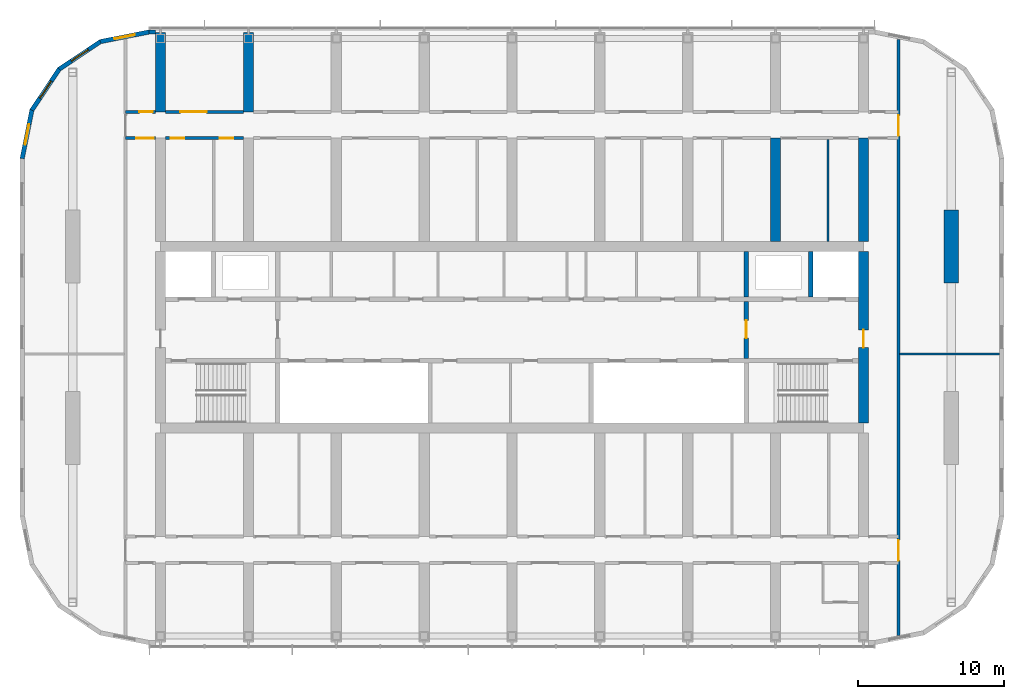
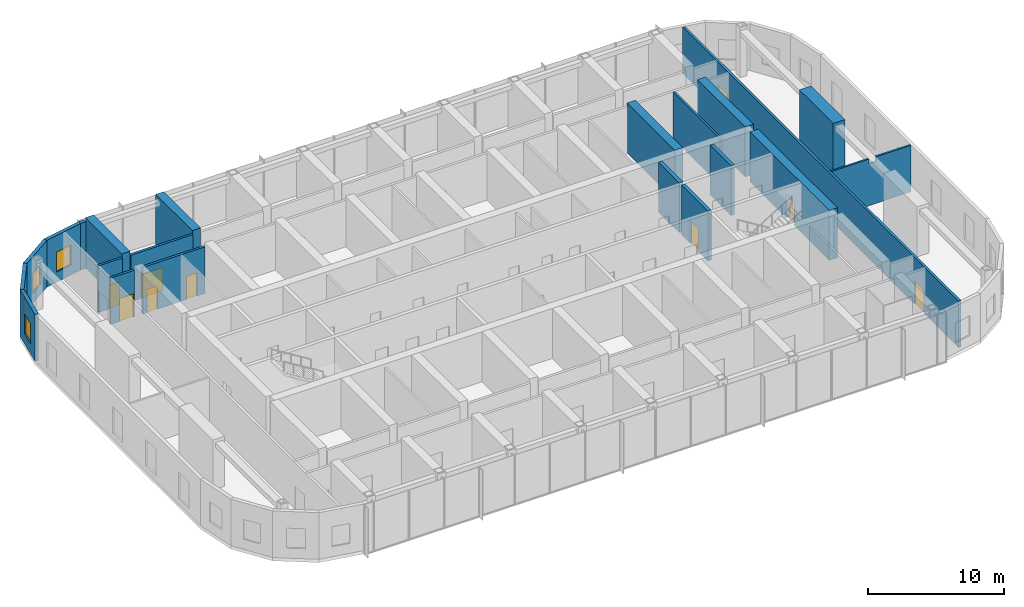
# One storey, part 14 of 21: 21 walls, 9 doors, 4 windows, 13 openings.
"""IFC4 building model written with IfcOpenShell, lengths in metres."""

from ifc_helpers import new_model, si_unit, direction, frame, frame_2d, origin, place, context, subcontext, project, spatial, polyline, rectangle, outline, extrude, material, layer, layer_set, type_object, element, fill, save


model = new_model("IFC4")

# Units and contexts
model_context = context("Model", 3, precision=1e-05, world=origin(), true_north=direction((0.0, 1.0)))
body_context = subcontext(model_context, "Body", "Model", "MODEL_VIEW")
ifc_project = project(units=[si_unit("LENGTHUNIT", "METRE"), si_unit("AREAUNIT", "SQUARE_METRE"), si_unit("VOLUMEUNIT", "CUBIC_METRE"), si_unit("PLANEANGLEUNIT", "RADIAN"), si_unit("MASSUNIT", "GRAM", prefix="KILO")], contexts=[model_context])

# Site, building, storey
site_placement = place(None, origin())
site = spatial("IfcSite", under=ifc_project, at=site_placement, CompositionType="ELEMENT")
building_placement = place(site_placement, origin())
building = spatial("IfcBuilding", under=site, at=building_placement, Name="Orbita Commons", CompositionType="ELEMENT")
storey_placement = place(building_placement, frame((0.0, 0.0, 257.800048828125)))
storey = spatial("IfcBuildingStorey", under=building, at=storey_placement, Name="L64", CompositionType="ELEMENT", Elevation=257.800048828125)

# Wall, opening, door
ifc_material_1 = material(Name="Concrete C50/60", Category="concrete")
ifc_layer_1 = layer(ifc_material_1, 0.300048828125)
ifc_layer_set_1 = layer_set([ifc_layer_1], Name="Concrete C50/60")
wall_type_1 = type_object("IfcWallType", Name="Core inner wall 300 C50/60", PredefinedType="SHEAR", material=ifc_layer_set_1)
wall_1_placement = place(storey_placement, frame((58.0, 30.550048828125, 0.0), z_axis=(0.0, 0.0, 1.0), x_axis=(0.0, 1.0, 0.0)))
wall_1 = element("IfcWall", 1, at=wall_1_placement, inside=storey, type_object=wall_type_1, Name="Firefighting lobby wall east L64", PredefinedType="SHEAR", context=body_context, shape_type="SweptSolid", body=[
    extrude(rectangle(XDim=3.89990234375, YDim=0.300048828125, at=frame_2d((1.949951171875, 0.0))), origin(), (0.0, 0.0, 1.0), 4.5),
])
opening_1_placement = place(wall_1_placement, frame((1.39990234375, 0.0, 0.0)))
opening_1 = element("IfcOpeningElement", 2, at=opening_1_placement, cuts=wall_1, Name="Opening D04", PredefinedType="OPENING", context=body_context, shape_type="SweptSolid", body=[
    extrude(rectangle(XDim=1.199951171875, YDim=2.10009765625, at=frame_2d((0.60009765625, 1.050048828125))), frame((0.0, 0.159912109375, 0.0), z_axis=(0.0, -1.0, 0.0), x_axis=(1.0, 0.0, 0.0)), (0.0, 0.0, 1.0), 0.320068359375),
])
ifc_material_2 = material(Name="Steel-faced fire door leaf", Category="steel")
door_type_1 = type_object("IfcDoorType", Name="Service door 20 min 1200x2100", OperationType="SINGLE_SWING_LEFT", PredefinedType="DOOR", material=ifc_material_2)
door_1_placement = place(opening_1_placement, origin())
door_1 = element("IfcDoor", 3, at=door_1_placement, inside=storey, type_object=door_type_1, Name="Lift lobby door east", OperationType="SINGLE_SWING_LEFT", OverallHeight=2.10009765625, OverallWidth=1.199951171875, PredefinedType="DOOR", context=body_context, shape_type="SweptSolid", body=[
    extrude(rectangle(XDim=1.199951171875, YDim=2.10009765625, at=frame_2d((0.60009765625, 1.050048828125))), frame((0.0, 0.02490234375, 0.0), z_axis=(0.0, -1.0, 0.0), x_axis=(1.0, 0.0, 0.0)), (0.0, 0.0, 1.0), 0.050048828125),
])
fill(opening_1, door_1)

# Walls
for number, where, z_axis, x_axis, name in (
    (4, (62.39990234375, 34.75, 0.0), (0.0, 0.0, 1.0), (0.0, 1.0, 0.0), "Firefighting lift FL2 shaft wall L64"),
    (5, (58.0, 34.75, 0.0), (0.0, 0.0, 1.0), (0.0, 1.0, 0.0), "Riser wall east L64"),
):
    element("IfcWall", number, at=place(storey_placement, frame(where, z_axis=z_axis, x_axis=x_axis)), inside=storey, type_object=wall_type_1, Name=name, PredefinedType="SHEAR", context=body_context, shape_type="SweptSolid", body=[
        extrude(rectangle(XDim=3.10009765625, YDim=0.300048828125, at=frame_2d((1.550048828125, 0.0))), origin(), (0.0, 0.0, 1.0), 4.5),
    ])

# Wall, opening, door
ifc_material_3 = material(Name="Concrete C50/60", Category="concrete")
ifc_layer_2 = layer(ifc_material_3, 0.699951171875)
ifc_layer_set_2 = layer_set([ifc_layer_2], Name="Concrete C50/60")
wall_type_2 = type_object("IfcWallType", Name="Core wall 700 C50/60", PredefinedType="SHEAR", material=ifc_layer_set_2)
wall_2_placement = place(storey_placement, frame((66.0, 26.14990234375, 0.0), z_axis=(0.0, 0.0, 1.0), x_axis=(0.0, 1.0, 0.0)))
wall_2 = element("IfcWall", 6, at=wall_2_placement, inside=storey, type_object=wall_type_2, Name="Core end wall east L64", PredefinedType="SHEAR", context=body_context, shape_type="SweptSolid", body=[
    extrude(rectangle(XDim=11.7001953125, YDim=0.699951171875, at=frame_2d((5.85009765625, 0.0))), origin(), (0.0, 0.0, 1.0), 4.5),
])
opening_2_placement = place(wall_2_placement, frame((5.14990234375, 0.0, 0.0)))
opening_2 = element("IfcOpeningElement", 7, at=opening_2_placement, cuts=wall_2, Name="Opening D01", PredefinedType="OPENING", context=body_context, shape_type="SweptSolid", body=[
    extrude(rectangle(XDim=1.199951171875, YDim=2.10009765625, at=frame_2d((0.60009765625, 1.050048828125))), frame((0.0, 0.35986328125, 0.0), z_axis=(0.0, -1.0, 0.0), x_axis=(1.0, 0.0, 0.0)), (0.0, 0.0, 1.0), 0.719970703125),
])
ifc_material_4 = material(Name="Steel-faced fire door leaf", Category="steel")
door_type_2 = type_object("IfcDoorType", Name="Fire door 90 min 1200x2100", OperationType="SINGLE_SWING_LEFT", PredefinedType="DOOR", material=ifc_material_4)
door_2_placement = place(opening_2_placement, origin())
door_2 = element("IfcDoor", 8, at=door_2_placement, inside=storey, type_object=door_type_2, Name="Firefighting lobby east door", OperationType="SINGLE_SWING_LEFT", OverallHeight=2.10009765625, OverallWidth=1.199951171875, PredefinedType="DOOR", context=body_context, shape_type="SweptSolid", body=[
    extrude(rectangle(XDim=1.199951171875, YDim=2.10009765625, at=frame_2d((0.60009765625, 1.050048828125))), frame((0.0, 0.02490234375, 0.0), z_axis=(0.0, -1.0, 0.0), x_axis=(1.0, 0.0, 0.0)), (0.0, 0.0, 1.0), 0.050048828125),
])
fill(opening_2, door_2)

ifc_material_5 = material(Name="Concrete blockwork", Category="masonry")
ifc_layer_3 = layer(ifc_material_5, 0.199951171875)
ifc_layer_set_3 = layer_set([ifc_layer_3], Name="Concrete blockwork")
wall_type_3 = type_object("IfcWallType", Name="Corridor wall 200 blockwork", PredefinedType="SOLIDWALL", material=ifc_layer_set_3)
wall_3_placement = place(storey_placement, frame((15.60009765625, 47.39990234375, 0.0), z_axis=(0.0, 0.0, 1.0), x_axis=(1.0, 0.0, 0.0)))
wall_3 = element("IfcWall", 9, at=wall_3_placement, inside=storey, type_object=wall_type_3, Name="Corridor wall 200 blockwork L64", PredefinedType="SOLIDWALL", context=body_context, shape_type="SweptSolid", body=[
    extrude(rectangle(XDim=2.0498046875, YDim=0.199951171875, at=frame_2d((1.02490234375, 0.0))), origin(), (0.0, 0.0, 1.0), 4.199951171875),
])
opening_3_placement = place(wall_3_placement, frame((0.949951171875, 0.0, 0.0)))
opening_3 = element("IfcOpeningElement", 10, at=opening_3_placement, cuts=wall_3, Name="Opening D05", PredefinedType="OPENING", context=body_context, shape_type="SweptSolid", body=[
    extrude(rectangle(XDim=0.89990234375, YDim=2.10009765625, at=frame_2d((0.449951171875, 1.050048828125))), frame((0.0, 0.10986328125, 0.0), z_axis=(0.0, -1.0, 0.0), x_axis=(1.0, 0.0, 0.0)), (0.0, 0.0, 1.0), 0.219970703125),
])
ifc_material_6 = material(Name="Steel-faced fire door leaf", Category="steel")
door_type_3 = type_object("IfcDoorType", Name="Service door 20 min 900x2100", OperationType="SINGLE_SWING_LEFT", PredefinedType="DOOR", material=ifc_material_6)
door_3_placement = place(opening_3_placement, origin())
door_3 = element("IfcDoor", 11, at=door_3_placement, inside=storey, type_object=door_type_3, Name="Linen store L64-KWN door", OperationType="SINGLE_SWING_LEFT", OverallHeight=2.10009765625, OverallWidth=0.89990234375, PredefinedType="DOOR", context=body_context, shape_type="SweptSolid", body=[
    extrude(rectangle(XDim=0.89990234375, YDim=2.10009765625, at=frame_2d((0.449951171875, 1.050048828125))), frame((0.0, 0.02490234375, 0.0), z_axis=(0.0, -1.0, 0.0), x_axis=(1.0, 0.0, 0.0)), (0.0, 0.0, 1.0), 0.050048828125),
])
fill(opening_3, door_3)

wall_4_placement = place(storey_placement, frame((18.35009765625, 47.39990234375, 0.0), z_axis=(0.0, 0.0, 1.0), x_axis=(1.0, 0.0, 0.0)))
wall_4 = element("IfcWall", 12, at=wall_4_placement, inside=storey, type_object=wall_type_3, Name="Corridor wall 200 blockwork L64", PredefinedType="SOLIDWALL", context=body_context, shape_type="SweptSolid", body=[
    extrude(rectangle(XDim=5.2998046875, YDim=0.199951171875, at=frame_2d((2.64990234375, 0.0))), origin(), (0.0, 0.0, 1.0), 4.199951171875),
])
opening_4_placement = place(wall_4_placement, frame((1.0, 0.0, 0.0)))
opening_4 = element("IfcOpeningElement", 13, at=opening_4_placement, cuts=wall_4, Name="Opening D07", PredefinedType="OPENING", context=body_context, shape_type="SweptSolid", body=[
    extrude(rectangle(XDim=1.800048828125, YDim=2.10009765625, at=frame_2d((0.89990234375, 1.050048828125))), frame((0.0, 0.10986328125, 0.0), z_axis=(0.0, -1.0, 0.0), x_axis=(1.0, 0.0, 0.0)), (0.0, 0.0, 1.0), 0.219970703125),
])
ifc_material_7 = material(Name="Steel-faced fire door leaf", Category="steel")
door_type_4 = type_object("IfcDoorType", Name="Double corridor door 20 min 1800x2100", OperationType="DOUBLE_DOOR_SINGLE_SWING", PredefinedType="DOOR", material=ifc_material_7)
door_4_placement = place(opening_4_placement, origin())
door_4 = element("IfcDoor", 14, at=door_4_placement, inside=storey, type_object=door_type_4, Name="Board room L64-NF1 doors", OperationType="DOUBLE_DOOR_SINGLE_SWING", OverallHeight=2.10009765625, OverallWidth=1.800048828125, PredefinedType="DOOR", context=body_context, shape_type="SweptSolid", body=[
    extrude(rectangle(XDim=1.800048828125, YDim=2.10009765625, at=frame_2d((0.89990234375, 1.050048828125))), frame((0.0, 0.02490234375, 0.0), z_axis=(0.0, -1.0, 0.0), x_axis=(1.0, 0.0, 0.0)), (0.0, 0.0, 1.0), 0.050048828125),
])
fill(opening_4, door_4)

# Wall, openings, doors
wall_5_placement = place(storey_placement, frame((68.39990234375, 11.646240234375, 0.0), z_axis=(0.0, 0.0, 1.0), x_axis=(0.0, 1.0, 0.0)))
wall_5 = element("IfcWall", 15, at=wall_5_placement, inside=storey, type_object=wall_type_3, Name="Corridor wall 200 blockwork L64", PredefinedType="SOLIDWALL", context=body_context, shape_type="SweptSolid", body=[
    extrude(rectangle(XDim=40.70751953125, YDim=0.199951171875, at=frame_2d((20.353759765625, 0.0))), origin(), (0.0, 0.0, 1.0), 4.199951171875),
])
opening_5_placement = place(wall_5_placement, frame((5.103759765625, 0.0, 0.0)))
opening_5 = element("IfcOpeningElement", 16, at=opening_5_placement, cuts=wall_5, Name="Opening D08", PredefinedType="OPENING", context=body_context, shape_type="SweptSolid", body=[
    extrude(rectangle(XDim=1.39990234375, YDim=2.10009765625, at=frame_2d((0.699951171875, 1.050048828125))), frame((0.0, 0.10986328125, 0.0), z_axis=(0.0, -1.0, 0.0), x_axis=(1.0, 0.0, 0.0)), (0.0, 0.0, 1.0), 0.219970703125),
])
opening_6_placement = place(wall_5_placement, frame((34.103759765625, 0.0, 0.0)))
opening_6 = element("IfcOpeningElement", 17, at=opening_6_placement, cuts=wall_5, Name="Opening D08", PredefinedType="OPENING", context=body_context, shape_type="SweptSolid", body=[
    extrude(rectangle(XDim=1.39990234375, YDim=2.10009765625, at=frame_2d((0.699951171875, 1.050048828125))), frame((0.0, 0.10986328125, 0.0), z_axis=(0.0, -1.0, 0.0), x_axis=(1.0, 0.0, 0.0)), (0.0, 0.0, 1.0), 0.219970703125),
])
ifc_material_8 = material(Name="Steel-faced fire door leaf", Category="steel")
door_type_5 = type_object("IfcDoorType", Name="Double corridor door 20 min 1400x2100", OperationType="DOUBLE_DOOR_SINGLE_SWING", PredefinedType="DOOR", material=ifc_material_8)
door_5_placement = place(opening_5_placement, origin())
door_5 = element("IfcDoor", 18, at=door_5_placement, inside=storey, type_object=door_type_5, Name="Lounge doors", OperationType="DOUBLE_DOOR_SINGLE_SWING", OverallHeight=2.10009765625, OverallWidth=1.39990234375, PredefinedType="DOOR", context=body_context, shape_type="SweptSolid", body=[
    extrude(rectangle(XDim=1.39990234375, YDim=2.10009765625, at=frame_2d((0.699951171875, 1.050048828125))), frame((0.0, 0.02490234375, 0.0), z_axis=(0.0, -1.0, 0.0), x_axis=(1.0, 0.0, 0.0)), (0.0, 0.0, 1.0), 0.050048828125),
])
fill(opening_5, door_5)
door_6_placement = place(opening_6_placement, origin())
door_6 = element("IfcDoor", 19, at=door_6_placement, inside=storey, type_object=door_type_5, Name="Lounge doors", OperationType="DOUBLE_DOOR_SINGLE_SWING", OverallHeight=2.10009765625, OverallWidth=1.39990234375, PredefinedType="DOOR", context=body_context, shape_type="SweptSolid", body=[
    extrude(rectangle(XDim=1.39990234375, YDim=2.10009765625, at=frame_2d((0.699951171875, 1.050048828125))), frame((0.0, 0.02490234375, 0.0), z_axis=(0.0, -1.0, 0.0), x_axis=(1.0, 0.0, 0.0)), (0.0, 0.0, 1.0), 0.050048828125),
])
fill(opening_6, door_6)

# Wall, opening, door
ifc_material_9 = material(Name="Hollow concrete block 200", Category="concrete")
ifc_layer_4 = layer(ifc_material_9, 0.199951171875)
ifc_layer_set_4 = layer_set([ifc_layer_4], Name="Hollow concrete block 200")
wall_type_4 = type_object("IfcWallType", Name="Corridor wall 200 hollow concrete block", PredefinedType="SOLIDWALL", material=ifc_layer_set_4)
wall_6_placement = place(storey_placement, frame((15.60009765625, 45.60009765625, 0.0), z_axis=(0.0, 0.0, 1.0), x_axis=(1.0, 0.0, 0.0)))
wall_6 = element("IfcWall", 20, at=wall_6_placement, inside=storey, type_object=wall_type_4, Name="Corridor wall 200 hollow concrete block L64", PredefinedType="SOLIDWALL", context=body_context, shape_type="SweptSolid", body=[
    extrude(rectangle(XDim=2.0498046875, YDim=0.199951171875, at=frame_2d((1.02490234375, 0.0))), origin(), (0.0, 0.0, 1.0), 4.199951171875),
])
opening_7_placement = place(wall_6_placement, frame((0.75, 0.0, 0.0)))
opening_7 = element("IfcOpeningElement", 21, at=opening_7_placement, cuts=wall_6, Name="Opening D12", PredefinedType="OPENING", context=body_context, shape_type="SweptSolid", body=[
    extrude(rectangle(XDim=1.199951171875, YDim=2.10009765625, at=frame_2d((0.60009765625, 1.050048828125))), frame((0.0, 0.10986328125, 0.0), z_axis=(0.0, -1.0, 0.0), x_axis=(1.0, 0.0, 0.0)), (0.0, 0.0, 1.0), 0.219970703125),
])
ifc_material_10 = material(Name="Steel-faced fire door leaf", Category="steel")
door_type_6 = type_object("IfcDoorType", Name="Double corridor door 20 min 1200x2100", OperationType="DOUBLE_DOOR_SINGLE_SWING", PredefinedType="DOOR", material=ifc_material_10)
door_7_placement = place(opening_7_placement, origin())
door_7 = element("IfcDoor", 22, at=door_7_placement, inside=storey, type_object=door_type_6, Name="Cross corridor doors", OperationType="DOUBLE_DOOR_SINGLE_SWING", OverallHeight=2.10009765625, OverallWidth=1.199951171875, PredefinedType="DOOR", context=body_context, shape_type="SweptSolid", body=[
    extrude(rectangle(XDim=1.199951171875, YDim=2.10009765625, at=frame_2d((0.60009765625, 1.050048828125))), frame((0.0, 0.02490234375, 0.0), z_axis=(0.0, -1.0, 0.0), x_axis=(1.0, 0.0, 0.0)), (0.0, 0.0, 1.0), 0.050048828125),
])
fill(opening_7, door_7)

# Wall, openings, doors
wall_7_placement = place(storey_placement, frame((18.35009765625, 45.60009765625, 0.0), z_axis=(0.0, 0.0, 1.0), x_axis=(1.0, 0.0, 0.0)))
wall_7 = element("IfcWall", 23, at=wall_7_placement, inside=storey, type_object=wall_type_4, Name="Corridor wall 200 hollow concrete block L64", PredefinedType="SOLIDWALL", context=body_context, shape_type="SweptSolid", body=[
    extrude(rectangle(XDim=5.2998046875, YDim=0.199951171875, at=frame_2d((2.64990234375, 0.0))), origin(), (0.0, 0.0, 1.0), 4.199951171875),
])
opening_8_placement = place(wall_7_placement, frame((0.35009765625, 0.0, 0.0)))
opening_8 = element("IfcOpeningElement", 24, at=opening_8_placement, cuts=wall_7, Name="Opening D11", PredefinedType="OPENING", context=body_context, shape_type="SweptSolid", body=[
    extrude(rectangle(XDim=0.89990234375, YDim=2.10009765625, at=frame_2d((0.449951171875, 1.050048828125))), frame((0.0, 0.10986328125, 0.0), z_axis=(0.0, -1.0, 0.0), x_axis=(1.0, 0.0, 0.0)), (0.0, 0.0, 1.0), 0.219970703125),
])
opening_9_placement = place(wall_7_placement, frame((3.699951171875, 0.0, 0.0)))
opening_9 = element("IfcOpeningElement", 25, at=opening_9_placement, cuts=wall_7, Name="Opening D11", PredefinedType="OPENING", context=body_context, shape_type="SweptSolid", body=[
    extrude(rectangle(XDim=0.89990234375, YDim=2.10009765625, at=frame_2d((0.449951171875, 1.050048828125))), frame((0.0, 0.10986328125, 0.0), z_axis=(0.0, -1.0, 0.0), x_axis=(1.0, 0.0, 0.0)), (0.0, 0.0, 1.0), 0.219970703125),
])
ifc_material_11 = material(Name="Steel-faced fire door leaf", Category="steel")
door_type_7 = type_object("IfcDoorType", Name="Corridor door 20 min 900x2100", OperationType="SINGLE_SWING_LEFT", PredefinedType="DOOR", material=ifc_material_11)
door_8_placement = place(opening_8_placement, origin())
door_8 = element("IfcDoor", 26, at=door_8_placement, inside=storey, type_object=door_type_7, Name="Telecoms room L64-BDN18 door", OperationType="SINGLE_SWING_LEFT", OverallHeight=2.10009765625, OverallWidth=0.89990234375, PredefinedType="DOOR", context=body_context, shape_type="SweptSolid", body=[
    extrude(rectangle(XDim=0.89990234375, YDim=2.10009765625, at=frame_2d((0.449951171875, 1.050048828125))), frame((0.0, 0.02490234375, 0.0), z_axis=(0.0, -1.0, 0.0), x_axis=(1.0, 0.0, 0.0)), (0.0, 0.0, 1.0), 0.050048828125),
])
fill(opening_8, door_8)
door_9_placement = place(opening_9_placement, origin())
door_9 = element("IfcDoor", 27, at=door_9_placement, inside=storey, type_object=door_type_7, Name="Equipment store L64-BDN18n door", OperationType="SINGLE_SWING_LEFT", OverallHeight=2.10009765625, OverallWidth=0.89990234375, PredefinedType="DOOR", context=body_context, shape_type="SweptSolid", body=[
    extrude(rectangle(XDim=0.89990234375, YDim=2.10009765625, at=frame_2d((0.449951171875, 1.050048828125))), frame((0.0, 0.02490234375, 0.0), z_axis=(0.0, -1.0, 0.0), x_axis=(1.0, 0.0, 0.0)), (0.0, 0.0, 1.0), 0.050048828125),
])
fill(opening_9, door_9)

# Walls
ifc_material_12 = material(Name="Concrete C50/60", Category="concrete")
ifc_layer_5 = layer(ifc_material_12, 0.699951171875)
ifc_layer_set_5 = layer_set([ifc_layer_5], Name="Concrete C50/60")
wall_type_5 = type_object("IfcWallType", Name="Cross wall 700 C50/60", PredefinedType="SHEAR", material=ifc_layer_set_5)
for number, where, z_axis, x_axis, name in (
    (28, (18.0, 47.39990234375, 0.0), (0.0, 0.0, 1.0), (0.0, 1.0, 0.0), "Cross wall 4 north outer L64"),
    (29, (24.0, 47.39990234375, 0.0), (0.0, 0.0, 1.0), (0.0, 1.0, 0.0), "Cross wall 5 north outer L64"),
):
    element("IfcWall", number, at=place(storey_placement, frame(where, z_axis=z_axis, x_axis=x_axis)), inside=storey, type_object=wall_type_5, Name=name, PredefinedType="SHEAR", context=body_context, shape_type="SweptSolid", body=[
        extrude(rectangle(XDim=5.400146484375, YDim=0.699951171875, at=frame_2d((2.7001953125, 0.0))), origin(), (0.0, 0.0, 1.0), 4.5),
    ])
for number, where, z_axis, x_axis, name in (
    (30, (60.0, 38.550048828125, 0.0), (0.0, 0.0, 1.0), (0.0, 1.0, 0.0), "Cross wall 11 north inner L64"),
    (31, (66.0, 38.550048828125, 0.0), (0.0, 0.0, 1.0), (0.0, 1.0, 0.0), "Cross wall 12 north inner L64"),
):
    element("IfcWall", number, at=place(storey_placement, frame(where, z_axis=z_axis, x_axis=x_axis)), inside=storey, type_object=wall_type_5, Name=name, PredefinedType="SHEAR", context=body_context, shape_type="SweptSolid", body=[
        extrude(rectangle(XDim=7.050048828125, YDim=0.699951171875, at=frame_2d((3.52490234375, 0.0))), origin(), (0.0, 0.0, 1.0), 4.5),
    ])
ifc_material_13 = material(Name="Concrete C50/60", Category="concrete")
ifc_layer_6 = layer(ifc_material_13, 1.0)
ifc_layer_set_6 = layer_set([ifc_layer_6], Name="Concrete C50/60")
wall_type_6 = type_object("IfcWallType", Name="End pier 1000x5000 C50/60", PredefinedType="SHEAR", material=ifc_layer_set_6)
wall_8_placement = place(storey_placement, frame((72.0, 35.699951171875, 0.0), z_axis=(0.0, 0.0, 1.0), x_axis=(0.0, 1.0, 0.0)))
element("IfcWall", 32, at=wall_8_placement, inside=storey, type_object=wall_type_6, Name="End pier 13/D L64", PredefinedType="SHEAR", context=body_context, shape_type="SweptSolid", body=[
    extrude(rectangle(XDim=5.0, YDim=1.0, at=frame_2d((2.5, 0.0))), origin(), (0.0, 0.0, 1.0), 4.5),
])
ifc_material_14 = material(Name="Gypsum plasterboard on steel studs", Category="steel")
ifc_layer_7 = layer(ifc_material_14, 0.14990234375)
ifc_layer_set_7 = layer_set([ifc_layer_7], Name="Gypsum plasterboard on steel studs")
wall_type_7 = type_object("IfcWallType", Name="Partition 150 plasterboard", PredefinedType="PARTITIONING", material=ifc_layer_set_7)
wall_9_placement = place(storey_placement, frame((63.590087890625, 38.550048828125, 0.0), z_axis=(0.0, 0.0, 1.0), x_axis=(0.0, 1.0, 0.0)))
element("IfcWall", 33, at=wall_9_placement, inside=storey, type_object=wall_type_7, Name="Partition 150 plasterboard L64", PredefinedType="PARTITIONING", context=body_context, shape_type="SweptSolid", body=[
    extrude(rectangle(XDim=6.949951171875, YDim=0.14990234375, at=frame_2d((3.47509765625, 0.0))), origin(), (0.0, 0.0, 1.0), 4.199951171875),
])
wall_10_placement = place(storey_placement, frame((68.47509765625, 30.85009765625, 0.0), z_axis=(0.0, 0.0, 1.0), x_axis=(1.0, 0.0, 0.0)))
element("IfcWall", 34, at=wall_10_placement, inside=storey, type_object=wall_type_7, Name="Partition 150 plasterboard L64", PredefinedType="PARTITIONING", context=body_context, shape_type="SweptSolid", body=[
    extrude(outline(polyline([(0.0, 0.0), (6.81982421875, 0.0), (6.820068359375, 4.199951171875), (3.826904296875, 4.199951171875), (3.824951171875, 3.75), (3.22705078125, 3.75), (3.22509765625, 4.199951171875), (0.0, 4.199951171875), (0.0, 0.0)])), frame((0.0, 0.074951171875, 0.0), z_axis=(0.0, -1.0, 0.0), x_axis=(1.0, 0.0, 0.0)), (0.0, 0.0, 1.0), 0.14990234375),
])

# Wall, opening, window
ifc_material_15 = material(Name="Precast concrete C40/50, white board-marked finish", Category="concrete")
ifc_layer_8 = layer(ifc_material_15, 0.300048828125)
ifc_layer_set_8 = layer_set([ifc_layer_8], Name="Precast concrete C40/50, white board-marked finish")
wall_type_8 = type_object("IfcWallType", Name="Precast concrete end shield 300", PredefinedType="SOLIDWALL", material=ifc_layer_set_8)
wall_11_placement = place(storey_placement, frame((17.199951171875, 52.85009765625, 0.0), z_axis=(0.0, 0.0, 1.0), x_axis=(-0.98078325777, -0.195100490205, 0.0)))
wall_11 = element("IfcWall", 35, at=wall_11_placement, inside=storey, type_object=wall_type_8, Name="End shield NW chord 1 L64", PredefinedType="SOLIDWALL", context=body_context, shape_type="SweptSolid", body=[
    extrude(outline(polyline([(-0.02978515625, -0.14990234375), (3.40478515625, -0.14990234375), (3.34521484375, 0.14990234375), (0.02978515625, 0.14990234375), (-0.02978515625, -0.14990234375)])), origin(), (0.0, 0.0, 1.0), 4.199951171875),
])
opening_10_placement = place(wall_11_placement, frame((0.987548828125, 0.0, 0.89990234375)))
opening_10 = element("IfcOpeningElement", 36, at=opening_10_placement, cuts=wall_11, Name="Opening W02", PredefinedType="OPENING", context=body_context, shape_type="SweptSolid", body=[
    extrude(rectangle(XDim=1.39990234375, YDim=1.800048828125, at=frame_2d((0.699951171875, 0.89990234375))), frame((0.0, 0.159912109375, 0.0), z_axis=(0.0, -1.0, 0.0), x_axis=(1.0, 0.0, 0.0)), (0.0, 0.0, 1.0), 0.320068359375),
])
ifc_material_16 = material(Name="Aluminium frame, clear double glazing", Category="aluminium")
window_type = type_object("IfcWindowType", Name="Deep-set window 1400x1800", PartitioningType="SINGLE_PANEL", PredefinedType="WINDOW", material=ifc_material_16)
window_1_placement = place(opening_10_placement, origin())
window_1 = element("IfcWindow", 37, at=window_1_placement, inside=storey, type_object=window_type, Name="Window L64-NW0", OverallHeight=1.800048828125, OverallWidth=1.39990234375, PartitioningType="SINGLE_PANEL", PredefinedType="WINDOW", context=body_context, shape_type="SweptSolid", body=[
    extrude(rectangle(XDim=1.39990234375, YDim=1.800048828125, at=frame_2d((0.699951171875, 0.89990234375))), frame((0.0, 0.030029296875, 0.0), z_axis=(0.0, -1.0, 0.0), x_axis=(1.0, 0.0, 0.0)), (0.0, 0.0, 1.0), 0.06005859375),
])
fill(opening_10, window_1)

wall_12_placement = place(storey_placement, frame((13.889892578125, 52.191650390625, 0.0), z_axis=(0.0, 0.0, 1.0), x_axis=(-0.831460037396, -0.555584562613, 0.0)))
wall_12 = element("IfcWall", 38, at=wall_12_placement, inside=storey, type_object=wall_type_8, Name="End shield NW chord 2 L64", PredefinedType="SOLIDWALL", context=body_context, shape_type="SweptSolid", body=[
    extrude(outline(polyline([(-0.02978515625, -0.14990234375), (3.405029296875, -0.14990234375), (3.345458984375, 0.14990234375), (0.02978515625, 0.14990234375), (-0.02978515625, -0.14990234375)])), origin(), (0.0, 0.0, 1.0), 4.199951171875),
])
opening_11_placement = place(wall_12_placement, frame((0.987548828125, 0.0, 0.89990234375)))
opening_11 = element("IfcOpeningElement", 39, at=opening_11_placement, cuts=wall_12, Name="Opening W02", PredefinedType="OPENING", context=body_context, shape_type="SweptSolid", body=[
    extrude(rectangle(XDim=1.39990234375, YDim=1.800048828125, at=frame_2d((0.699951171875, 0.89990234375))), frame((0.0, 0.159912109375, 0.0), z_axis=(0.0, -1.0, 0.0), x_axis=(1.0, 0.0, 0.0)), (0.0, 0.0, 1.0), 0.320068359375),
])
window_2_placement = place(opening_11_placement, origin())
window_2 = element("IfcWindow", 40, at=window_2_placement, inside=storey, type_object=window_type, Name="Window L64-NW1", OverallHeight=1.800048828125, OverallWidth=1.39990234375, PartitioningType="SINGLE_PANEL", PredefinedType="WINDOW", context=body_context, shape_type="SweptSolid", body=[
    extrude(rectangle(XDim=1.39990234375, YDim=1.800048828125, at=frame_2d((0.699951171875, 0.89990234375))), frame((0.0, 0.030029296875, 0.0), z_axis=(0.0, -1.0, 0.0), x_axis=(1.0, 0.0, 0.0)), (0.0, 0.0, 1.0), 0.06005859375),
])
fill(opening_11, window_2)

wall_13_placement = place(storey_placement, frame((11.08349609375, 50.31640625, 0.0), z_axis=(0.0, 0.0, 1.0), x_axis=(-0.555567969291, -0.831471124873, 0.0)))
wall_13 = element("IfcWall", 41, at=wall_13_placement, inside=storey, type_object=wall_type_8, Name="End shield NW chord 3 L64", PredefinedType="SOLIDWALL", context=body_context, shape_type="SweptSolid", body=[
    extrude(outline(polyline([(-0.02978515625, -0.14990234375), (3.40478515625, -0.14990234375), (3.34521484375, 0.14990234375), (0.02978515625, 0.14990234375), (-0.02978515625, -0.14990234375)])), origin(), (0.0, 0.0, 1.0), 4.199951171875),
])
opening_12_placement = place(wall_13_placement, frame((0.987548828125, 0.0, 0.89990234375)))
opening_12 = element("IfcOpeningElement", 42, at=opening_12_placement, cuts=wall_13, Name="Opening W02", PredefinedType="OPENING", context=body_context, shape_type="SweptSolid", body=[
    extrude(rectangle(XDim=1.39990234375, YDim=1.800048828125, at=frame_2d((0.699951171875, 0.89990234375))), frame((0.0, 0.159912109375, 0.0), z_axis=(0.0, -1.0, 0.0), x_axis=(1.0, 0.0, 0.0)), (0.0, 0.0, 1.0), 0.320068359375),
])
window_3_placement = place(opening_12_placement, origin())
window_3 = element("IfcWindow", 43, at=window_3_placement, inside=storey, type_object=window_type, Name="Window L64-NW2", OverallHeight=1.800048828125, OverallWidth=1.39990234375, PartitioningType="SINGLE_PANEL", PredefinedType="WINDOW", context=body_context, shape_type="SweptSolid", body=[
    extrude(rectangle(XDim=1.39990234375, YDim=1.800048828125, at=frame_2d((0.699951171875, 0.89990234375))), frame((0.0, 0.030029296875, 0.0), z_axis=(0.0, -1.0, 0.0), x_axis=(1.0, 0.0, 0.0)), (0.0, 0.0, 1.0), 0.06005859375),
])
fill(opening_12, window_3)

wall_14_placement = place(storey_placement, frame((9.20849609375, 47.51025390625, 0.0), z_axis=(0.0, 0.0, 1.0), x_axis=(-0.19508664885, -0.980786011034, 0.0)))
wall_14 = element("IfcWall", 44, at=wall_14_placement, inside=storey, type_object=wall_type_8, Name="End shield NW chord 4 L64", PredefinedType="SOLIDWALL", context=body_context, shape_type="SweptSolid", body=[
    extrude(outline(polyline([(-0.02978515625, -0.14990234375), (3.39013671875, -0.14990234375), (3.3603515625, 0.14990234375), (0.02978515625, 0.14990234375), (-0.02978515625, -0.14990234375)])), origin(), (0.0, 0.0, 1.0), 4.199951171875),
])
opening_13_placement = place(wall_14_placement, frame((0.987548828125, 0.0, 0.89990234375)))
opening_13 = element("IfcOpeningElement", 45, at=opening_13_placement, cuts=wall_14, Name="Opening W02", PredefinedType="OPENING", context=body_context, shape_type="SweptSolid", body=[
    extrude(rectangle(XDim=1.39990234375, YDim=1.800048828125, at=frame_2d((0.699951171875, 0.89990234375))), frame((0.0, 0.159912109375, 0.0), z_axis=(0.0, -1.0, 0.0), x_axis=(1.0, 0.0, 0.0)), (0.0, 0.0, 1.0), 0.320068359375),
])
window_4_placement = place(opening_13_placement, origin())
window_4 = element("IfcWindow", 46, at=window_4_placement, inside=storey, type_object=window_type, Name="Window L64-NW3", OverallHeight=1.800048828125, OverallWidth=1.39990234375, PartitioningType="SINGLE_PANEL", PredefinedType="WINDOW", context=body_context, shape_type="SweptSolid", body=[
    extrude(rectangle(XDim=1.39990234375, YDim=1.800048828125, at=frame_2d((0.699951171875, 0.89990234375))), frame((0.0, 0.030029296875, 0.0), z_axis=(0.0, -1.0, 0.0), x_axis=(1.0, 0.0, 0.0)), (0.0, 0.0, 1.0), 0.06005859375),
])
fill(opening_13, window_4)

# Wall
wall_15_placement = place(storey_placement, frame((17.199951171875, 52.85009765625, 0.0), z_axis=(0.0, 0.0, 1.0), x_axis=(1.0, 0.0, 0.0)))
element("IfcWall", 47, at=wall_15_placement, inside=storey, type_object=wall_type_8, Name="End shield NW closer L64", PredefinedType="SOLIDWALL", context=body_context, shape_type="SweptSolid", body=[
    extrude(rectangle(XDim=0.449951171875, YDim=0.300048828125, at=frame_2d((0.22509765625, 0.0))), origin(), (0.0, 0.0, 1.0), 4.199951171875),
])

save(model, "model.ifc")
